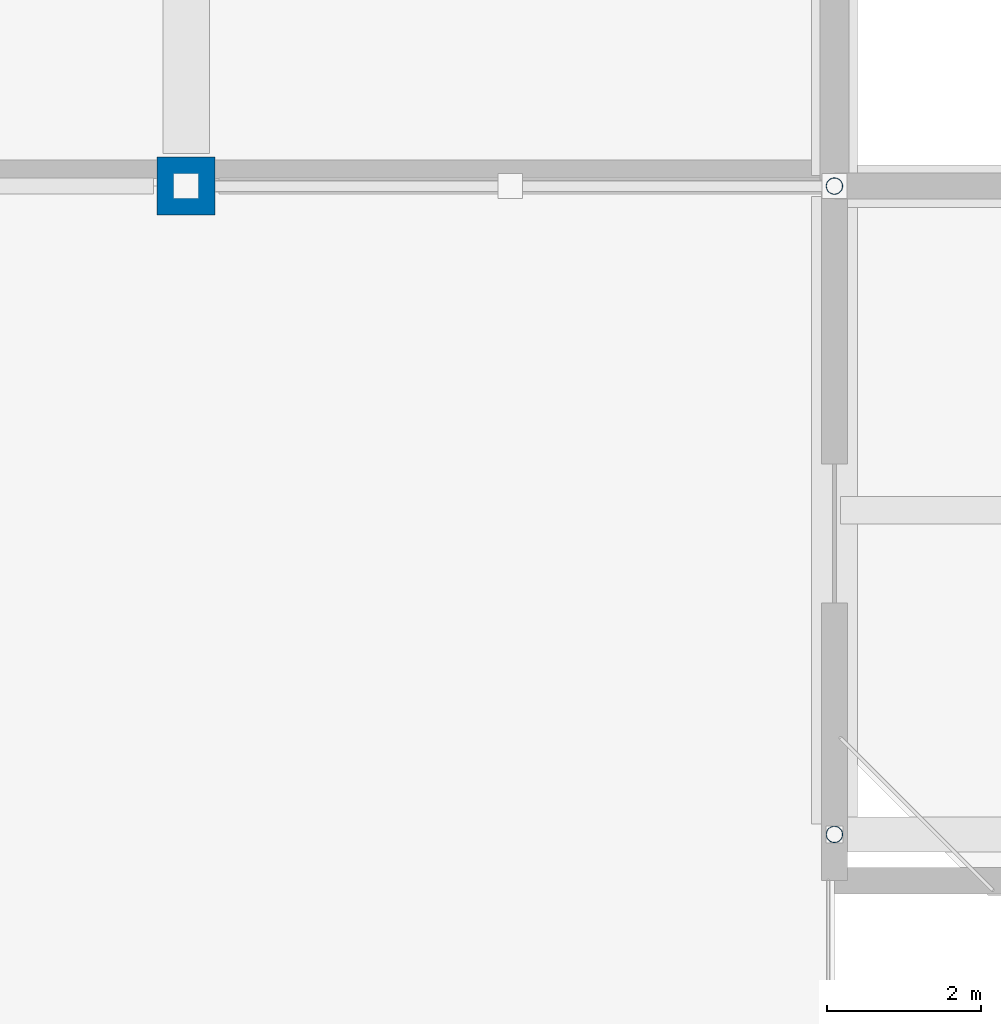
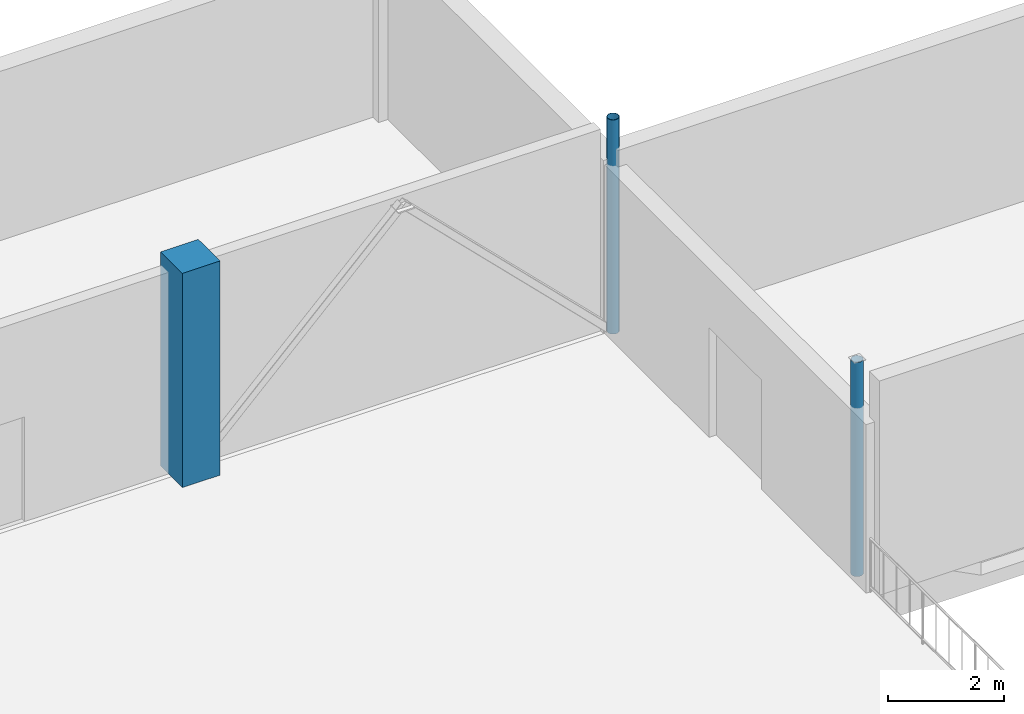
# One storey, part 10 of 75: 3 columns.
"""IFC4 building model written with IfcOpenShell, lengths in metres."""

from ifc_helpers import new_model, si_unit, derived_unit, direction, frame, origin, origin_2d, place, context, subcontext, project, spatial, rectangle, hollow_circle, extrude, material, material_profile, profile_set, type_object, element, save


model = new_model("IFC4")

# Units and contexts
model_context = context("Model", 3, precision=1e-05, world=origin(), true_north=direction((0.0, 1.0)))
body_context = subcontext(model_context, "Body", "Model", "MODEL_VIEW")
ifc_project = project(units=[si_unit("LENGTHUNIT", "METRE"), si_unit("AREAUNIT", "SQUARE_METRE"), si_unit("VOLUMEUNIT", "CUBIC_METRE"), si_unit("PLANEANGLEUNIT", "RADIAN"), si_unit("MASSUNIT", "GRAM", prefix="KILO"), derived_unit("THERMALTRANSMITTANCEUNIT", [(si_unit("POWERUNIT", "WATT"), 1), (si_unit("LENGTHUNIT", "METRE"), -2), (si_unit("THERMODYNAMICTEMPERATUREUNIT", "KELVIN"), -1)])], contexts=[model_context])

# Site, building, storey
site_placement = place(None, origin())
site = spatial("IfcSite", under=ifc_project, at=site_placement, CompositionType="ELEMENT")
building_placement = place(site_placement, origin())
building = spatial("IfcBuilding", under=site, at=building_placement, Name="Barrovel Congress Hotel", CompositionType="ELEMENT")
storey_placement = place(building_placement, frame((0.0, 0.0, 5.39990234375)))
storey = spatial("IfcBuildingStorey", under=building, at=storey_placement, Name="L01", CompositionType="ELEMENT", Elevation=5.39990234375)

# Columns
ifc_material_1 = material(Name="Concrete C40", Category="concrete")
ifc_material_profile_1 = material_profile(ifc_material_1, rectangle(XDim=0.75, YDim=0.75, at=origin_2d()), Name="RC750x750")
ifc_profile_set_1 = profile_set([ifc_material_profile_1], Name="Concrete C40")
column_type_1 = type_object("IfcColumnType", Name="COL-RC750x750", PredefinedType="COLUMN", material=ifc_profile_set_1)
column_placement = place(storey_placement, frame((50.39990234375, 105.0, 0.0), z_axis=(0.0, 0.0, 1.0), x_axis=(1.0, 0.0, 0.0)))
element("IfcColumn", 1, at=column_placement, inside=storey, type_object=column_type_1, Name="COL:L01:50.4:105.0", PredefinedType="COLUMN", context=body_context, shape_type="SweptSolid", body=[
    extrude(rectangle(XDim=0.75, YDim=0.75, at=origin_2d()), origin(), (0.0, 0.0, 1.0), 4.5),
])
ifc_material_2 = material(Name="Steel ASTM A500 Grade C", Category="steel")
ifc_material_profile_2 = material_profile(ifc_material_2, hollow_circle(Radius=0.109619140625, WallThickness=0.0087890625, at=origin_2d()), Name="CHS219.1x9.5")
ifc_profile_set_2 = profile_set([ifc_material_profile_2], Name="Steel ASTM A500 Grade C")
column_type_2 = type_object("IfcColumnType", Name="SCOL-CHS219.1x9.5", PredefinedType="COLUMN", material=ifc_profile_set_2)
for number, where, z_axis, x_axis, name in (
    (2, (58.800048828125, 96.60009765625, 0.0), (0.0, 0.0, 1.0), (1.0, 0.0, 0.0), "COL:L01:58.8:96.6"),
    (3, (58.800048828125, 105.0, 0.0), (0.0, 0.0, 1.0), (1.0, 0.0, 0.0), "COL:L01:58.8:105.0"),
):
    element("IfcColumn", number, at=place(storey_placement, frame(where, z_axis=z_axis, x_axis=x_axis)), inside=storey, type_object=column_type_2, Name=name, PredefinedType="COLUMN", context=body_context, shape_type="SweptSolid", body=[
        extrude(hollow_circle(Radius=0.109619140625, WallThickness=0.0087890625, at=origin_2d()), origin(), (0.0, 0.0, 1.0), 4.5),
    ])

save(model, "model.ifc")
